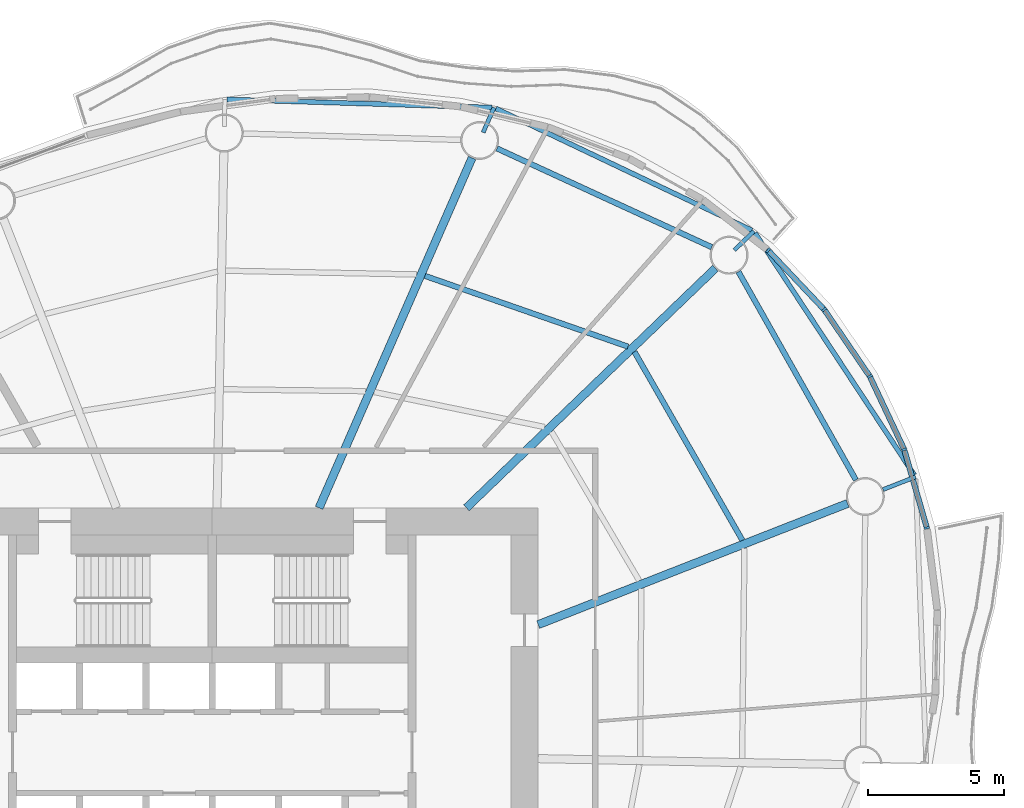
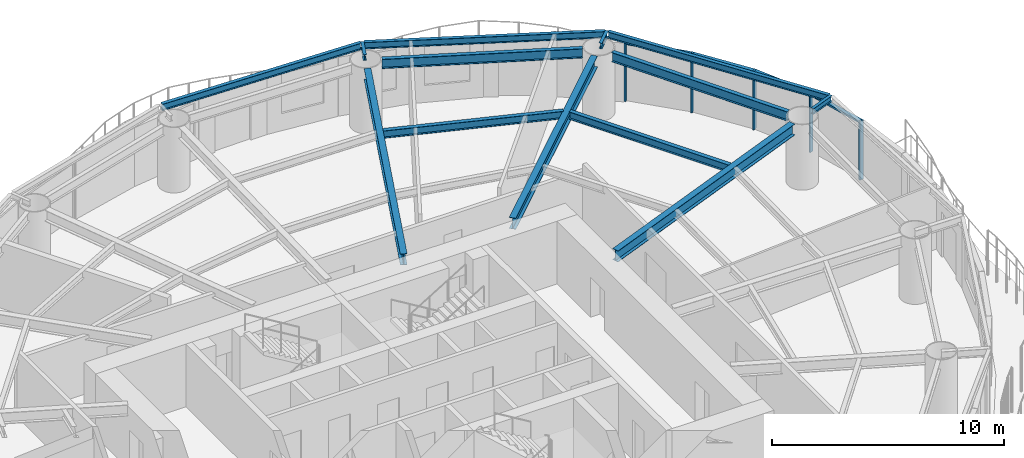
# One storey, part 6 of 15: 13 beams, 9 members, 4 elements without a shape of their own.
"""IFC4 building model written with IfcOpenShell, lengths in metres."""

from ifc_helpers import new_model, si_unit, direction, frame, origin, origin_2d, place, context, subcontext, project, spatial, rectangle, i_section, extrude, material, material_profile, profile_set, type_object, element, aggregate, save


model = new_model("IFC4")

# Units and contexts
model_context = context("Model", 3, precision=1e-05, world=origin(), true_north=direction((0.0, 1.0)))
body_context = subcontext(model_context, "Body", "Model", "MODEL_VIEW")
ifc_project = project(units=[si_unit("LENGTHUNIT", "METRE"), si_unit("AREAUNIT", "SQUARE_METRE"), si_unit("VOLUMEUNIT", "CUBIC_METRE"), si_unit("PLANEANGLEUNIT", "RADIAN"), si_unit("MASSUNIT", "GRAM", prefix="KILO")], contexts=[model_context])

# Site, building, storey
site_placement = place(None, origin())
site = spatial("IfcSite", under=ifc_project, at=site_placement, CompositionType="ELEMENT")
building_placement = place(site_placement, origin())
building = spatial("IfcBuilding", under=site, at=building_placement, Name="Vermilion Reach Broadcast Tower", CompositionType="ELEMENT")
storey_placement = place(building_placement, frame((0.0, 0.0, 154.199951171875)))
storey = spatial("IfcBuildingStorey", under=building, at=storey_placement, Name="L36", CompositionType="ELEMENT", Elevation=154.199951171875)

# Beams
ifc_material_1 = material(Name="Steel S355J2", Category="steel")
ifc_material_profile_1 = material_profile(ifc_material_1, i_section(OverallWidth=0.175048828125, OverallDepth=0.35009765625, WebThickness=0.007080078125, FlangeThickness=0.010986328125, at=origin_2d()), Name="S355J2 HN 350x175x7x11")
ifc_profile_set_1 = profile_set([ifc_material_profile_1], Name="Steel S355J2")
beam_type_1 = type_object("IfcBeamType", Name="EB3 HN 350x175x7x11", PredefinedType="BEAM", material=ifc_profile_set_1)
beam_1_placement = place(storey_placement, frame((13.865966796875, 19.21484375, 3.275146484375), z_axis=(-0.902882567486, 0.429887275144, 0.0), x_axis=(-0.429887275144, -0.902882567486, 0.0)))
element("IfcBeam", 1, at=beam_1_placement, inside=storey, type_object=beam_type_1, Name="Edge beam EB3-01", PredefinedType="BEAM", context=body_context, shape_type="SweptSolid", body=[
    extrude(i_section(OverallWidth=0.175048828125, OverallDepth=0.35009765625, WebThickness=0.007080078125, FlangeThickness=0.010986328125, at=origin_2d()), origin(), (0.0, 0.0, 1.0), 10.437744140625),
])
beam_2_placement = place(storey_placement, frame((4.293212890625, 23.736572265625, 3.275146484375), z_axis=(-0.999528582881, 0.030701986962, 0.0), x_axis=(-0.030701986962, -0.999528582881, 0.0)))
element("IfcBeam", 2, at=beam_2_placement, inside=storey, type_object=beam_type_1, Name="Edge beam EB3-02", PredefinedType="BEAM", context=body_context, shape_type="SweptSolid", body=[
    extrude(i_section(OverallWidth=0.175048828125, OverallDepth=0.35009765625, WebThickness=0.007080078125, FlangeThickness=0.010986328125, at=origin_2d()), origin(), (0.0, 0.0, 1.0), 9.757080078125),
])
beam_3_placement = place(storey_placement, frame((19.84765625, 10.204833984375, 3.275146484375), z_axis=(-0.549901814271, 0.835229306634, 0.0), x_axis=(-0.835229306634, -0.549901814271, 0.0)))
element("IfcBeam", 3, at=beam_3_placement, inside=storey, type_object=beam_type_1, Name="Edge beam EB3-16", PredefinedType="BEAM", context=body_context, shape_type="SweptSolid", body=[
    extrude(i_section(OverallWidth=0.175048828125, OverallDepth=0.35009765625, WebThickness=0.007080078125, FlangeThickness=0.010986328125, at=origin_2d()), origin(), (0.0, 0.0, 1.0), 10.669921875),
])
ifc_material_2 = material(Name="Steel S355J2", Category="steel")
ifc_material_profile_2 = material_profile(ifc_material_2, i_section(OverallWidth=0.300048828125, OverallDepth=0.587890625, WebThickness=0.011962890625, FlangeThickness=0.02001953125, at=origin_2d()), Name="S355J2 HM 588x300x12x20")
ifc_profile_set_2 = profile_set([ifc_material_profile_2], Name="Steel S355J2")
beam_type_2 = type_object("IfcBeamType", Name="G3 HM 588x300x12x20", PredefinedType="BEAM", material=ifc_profile_set_2)
beam_4_placement = place(storey_placement, frame((3.355712890625, 9.0, 3.156005859375), z_axis=(0.720670374476, 0.693277874559, 0.0), x_axis=(-0.693277874559, 0.720670374476, 0.0)))
element("IfcBeam", 4, at=beam_4_placement, inside=storey, type_object=beam_type_2, Name="Girder G3-01", PredefinedType="BEAM", context=body_context, shape_type="SweptSolid", body=[
    extrude(i_section(OverallWidth=0.300048828125, OverallDepth=0.587890625, WebThickness=0.011962890625, FlangeThickness=0.02001953125, at=origin_2d()), origin(), (0.0, 0.0, 1.0), 12.718505859375),
])
beam_5_placement = place(storey_placement, frame((-2.066162109375, 9.0, 3.156005859375), z_axis=(0.400519113205, 0.916288404356, 0.0), x_axis=(-0.916288404356, 0.400519113205, 0.0)))
element("IfcBeam", 5, at=beam_5_placement, inside=storey, type_object=beam_type_2, Name="Girder G3-02", PredefinedType="BEAM", context=body_context, shape_type="SweptSolid", body=[
    extrude(i_section(OverallWidth=0.300048828125, OverallDepth=0.587890625, WebThickness=0.011962890625, FlangeThickness=0.02001953125, at=origin_2d()), origin(), (0.0, 0.0, 1.0), 14.0595703125),
])
beam_6_placement = place(storey_placement, frame((6.0, 4.700439453125, 3.156005859375), z_axis=(0.931124635714, 0.364701128004, 0.0), x_axis=(-0.364701128004, 0.931124635714, 0.0)))
element("IfcBeam", 6, at=beam_6_placement, inside=storey, type_object=beam_type_2, Name="Girder G3-16", PredefinedType="BEAM", context=body_context, shape_type="SweptSolid", body=[
    extrude(i_section(OverallWidth=0.300048828125, OverallDepth=0.587890625, WebThickness=0.011962890625, FlangeThickness=0.02001953125, at=origin_2d()), origin(), (0.0, 0.0, 1.0), 12.231201171875),
])
ifc_material_3 = material(Name="Steel S355J2", Category="steel")
ifc_material_profile_3 = material_profile(ifc_material_3, i_section(OverallWidth=0.14990234375, OverallDepth=0.300048828125, WebThickness=0.006591796875, FlangeThickness=0.009033203125, at=origin_2d()), Name="S355J2 HN 300x150x6.5x9")
ifc_profile_set_3 = profile_set([ifc_material_profile_3], Name="Steel S355J2")
beam_type_3 = type_object("IfcBeamType", Name="GS3 HN 300x150x6.5x9", PredefinedType="BEAM", material=ifc_profile_set_3)
for number, where, z_axis, x_axis, name in (
    (7, (13.217529296875, 18.487060546875, 3.300048828125), (0.720645397388, 0.693303837595, 0.0), (-0.693303837595, 0.720645397388, 0.0), "Cantilever stub GS3-01"),
    (8, (3.9736328125, 22.81787109375, 3.300048828125), (0.400421736837, 0.916330962408, 0.0), (-0.916330962408, 0.400421736837, 0.0), "Cantilever stub GS3-02"),
):
    element("IfcBeam", number, at=place(storey_placement, frame(where, z_axis=z_axis, x_axis=x_axis)), inside=storey, type_object=beam_type_3, Name=name, PredefinedType="BEAM", context=body_context, shape_type="SweptSolid", body=[
        extrude(i_section(OverallWidth=0.14990234375, OverallDepth=0.300048828125, WebThickness=0.006591796875, FlangeThickness=0.009033203125, at=origin_2d()), origin(), (0.0, 0.0, 1.0), 1.0),
    ])
beam_7_placement = place(storey_placement, frame((18.6923828125, 9.671875, 3.300048828125), z_axis=(0.931111056585, 0.364735795208, 0.0), x_axis=(-0.364735795208, 0.931111056585, 0.0)))
element("IfcBeam", 9, at=beam_7_placement, inside=storey, type_object=beam_type_3, Name="Cantilever stub GS3-16", PredefinedType="BEAM", context=body_context, shape_type="SweptSolid", body=[
    extrude(i_section(OverallWidth=0.14990234375, OverallDepth=0.300048828125, WebThickness=0.006591796875, FlangeThickness=0.009033203125, at=origin_2d()), origin(), (0.0, 0.0, 1.0), 1.285888671875),
])
ifc_material_4 = material(Name="Steel S355J2", Category="steel")
ifc_material_profile_4 = material_profile(ifc_material_4, i_section(OverallWidth=0.199951171875, OverallDepth=0.5, WebThickness=0.010009765625, FlangeThickness=0.01611328125, at=origin_2d()), Name="S355J2 HN 500x200x10x16")
ifc_profile_set_4 = profile_set([ifc_material_profile_4], Name="Steel S355J2")
beam_type_4 = type_object("IfcBeamType", Name="RB3 HN 500x200x10x16", PredefinedType="BEAM", material=ifc_profile_set_4)
beam_8_placement = place(storey_placement, frame((12.389892578125, 18.594970703125, 3.199951171875), z_axis=(-0.908546241769, 0.417784306272, 0.0), x_axis=(-0.417784306272, -0.908546241769, 0.0)))
element("IfcBeam", 10, at=beam_8_placement, inside=storey, type_object=beam_type_4, Name="Ring beam RB3-01", PredefinedType="BEAM", context=body_context, shape_type="SweptSolid", body=[
    extrude(i_section(OverallWidth=0.199951171875, OverallDepth=0.5, WebThickness=0.010009765625, FlangeThickness=0.01611328125, at=origin_2d()), origin(), (0.0, 0.0, 1.0), 8.704833984375),
])
beam_9_placement = place(storey_placement, frame((17.696533203125, 10.026123046875, 3.199951171875), z_axis=(-0.491466825026, 0.870896296869, 0.0), x_axis=(-0.870896296869, -0.491466825026, 0.0)))
element("IfcBeam", 11, at=beam_9_placement, inside=storey, type_object=beam_type_4, Name="Ring beam RB3-16", PredefinedType="BEAM", context=body_context, shape_type="SweptSolid", body=[
    extrude(i_section(OverallWidth=0.199951171875, OverallDepth=0.5, WebThickness=0.010009765625, FlangeThickness=0.01611328125, at=origin_2d()), origin(), (0.0, 0.0, 1.0), 8.803466796875),
])
ifc_material_5 = material(Name="Steel S355J2", Category="steel")
ifc_material_profile_5 = material_profile(ifc_material_5, i_section(OverallWidth=0.199951171875, OverallDepth=0.39990234375, WebThickness=0.008056640625, FlangeThickness=0.012939453125, at=origin_2d()), Name="S355J2 HN 400x200x8x13")
ifc_profile_set_5 = profile_set([ifc_material_profile_5], Name="Steel S355J2")
beam_type_5 = type_object("IfcBeamType", Name="SB3 HN 400x200x8x13", PredefinedType="BEAM", material=ifc_profile_set_5)
beam_10_placement = place(storey_placement, frame((9.307373046875, 14.93359375, 3.25), z_axis=(-0.94431696779, 0.329037177754, 0.0), x_axis=(-0.329037177754, -0.94431696779, 0.0)))
element("IfcBeam", 12, at=beam_10_placement, inside=storey, type_object=beam_type_5, Name="Secondary beam SB3-01-2", PredefinedType="BEAM", context=body_context, shape_type="SweptSolid", body=[
    extrude(i_section(OverallWidth=0.199951171875, OverallDepth=0.39990234375, WebThickness=0.008056640625, FlangeThickness=0.012939453125, at=origin_2d()), origin(), (0.0, 0.0, 1.0), 7.91845703125),
])
beam_11_placement = place(storey_placement, frame((13.51708984375, 7.805908203125, 3.25), z_axis=(-0.497026503115, 0.867735360119, 0.0), x_axis=(-0.867735360119, -0.497026503115, 0.0)))
element("IfcBeam", 13, at=beam_11_placement, inside=storey, type_object=beam_type_5, Name="Secondary beam SB3-16-2", PredefinedType="BEAM", context=body_context, shape_type="SweptSolid", body=[
    extrude(i_section(OverallWidth=0.199951171875, OverallDepth=0.39990234375, WebThickness=0.008056640625, FlangeThickness=0.012939453125, at=origin_2d()), origin(), (0.0, 0.0, 1.0), 7.995849609375),
])

# Curtain wall, member
ifc_material_6 = material(Name="Low-e laminated clear glass in aluminium frame", Category="aluminium")
curtain_wall_type = type_object("IfcCurtainWallType", Name="Slot curtain wall", PredefinedType="NOTDEFINED", material=ifc_material_6)
placement = place(storey_placement, origin())
curtain_wall_1 = element("IfcCurtainWall", 14, at=placement, inside=storey, type_object=curtain_wall_type, Name="Slot curtain wall L36 46", PredefinedType="NOTDEFINED")
ifc_material_7 = material(Name="Anodised aluminium", Category="aluminium")
ifc_material_profile_6 = material_profile(ifc_material_7, rectangle(XDim=0.199951171875, YDim=0.080078125, at=origin_2d()), Name="Slot mullion 80 x 200")
ifc_profile_set_6 = profile_set([ifc_material_profile_6], Name="Anodised aluminium")
member_type_1 = type_object("IfcMemberType", Name="Slot mullion 80 x 200", PredefinedType="MULLION", material=ifc_profile_set_6)
member_1_placement = place(storey_placement, frame((20.306396484375, 8.26318359375, 0.0), z_axis=(0.0, 0.0, 1.0), x_axis=(-0.979270352805, -0.202557587161, 0.0)))
member_1 = element("IfcMember", 15, at=member_1_placement, type_object=member_type_1, Name="Slot mullion L36 46", PredefinedType="MULLION", context=body_context, shape_type="SweptSolid", body=[
    extrude(rectangle(XDim=0.199951171875, YDim=0.080078125, at=origin_2d()), origin(), (0.0, 0.0, 1.0), 3.10009765625),
])

curtain_wall_2 = element("IfcCurtainWall", 16, at=placement, inside=storey, type_object=curtain_wall_type, Name="Slot curtain wall L36 47", PredefinedType="NOTDEFINED")
member_2_placement = place(storey_placement, frame((19.47314453125, 11.147216796875, 0.0), z_axis=(0.0, 0.0, 1.0), x_axis=(-0.935745259761, -0.352676634943, 0.0)))
member_2 = element("IfcMember", 17, at=member_2_placement, type_object=member_type_1, Name="Slot mullion L36 47", PredefinedType="MULLION", context=body_context, shape_type="SweptSolid", body=[
    extrude(rectangle(XDim=0.199951171875, YDim=0.080078125, at=origin_2d()), origin(), (0.0, 0.0, 1.0), 3.10009765625),
])

curtain_wall_3 = element("IfcCurtainWall", 18, at=placement, inside=storey, type_object=curtain_wall_type, Name="Slot curtain wall L36 00", PredefinedType="NOTDEFINED")
member_3_placement = place(storey_placement, frame((18.20654296875, 13.8408203125, 0.0), z_axis=(0.0, 0.0, 1.0), x_axis=(-0.868112178264, -0.496368054925, 0.0)))
member_3 = element("IfcMember", 19, at=member_3_placement, type_object=member_type_1, Name="Slot mullion L36 00", PredefinedType="MULLION", context=body_context, shape_type="SweptSolid", body=[
    extrude(rectangle(XDim=0.199951171875, YDim=0.080078125, at=origin_2d()), origin(), (0.0, 0.0, 1.0), 3.10009765625),
])

# Curtain wall, members
curtain_wall_4 = element("IfcCurtainWall", 20, at=placement, inside=storey, type_object=curtain_wall_type, Name="Slot curtain wall L36 01", PredefinedType="NOTDEFINED")
member_4_placement = place(storey_placement, frame((16.52783203125, 16.298583984375, 0.0), z_axis=(0.0, 0.0, 1.0), x_axis=(-0.778584149168, -0.627540215974, 0.0)))
member_4 = element("IfcMember", 21, at=member_4_placement, type_object=member_type_1, Name="Slot mullion L36 01", PredefinedType="MULLION", context=body_context, shape_type="SweptSolid", body=[
    extrude(rectangle(XDim=0.199951171875, YDim=0.080078125, at=origin_2d()), origin(), (0.0, 0.0, 1.0), 3.10009765625),
])
member_5_placement = place(storey_placement, frame((14.465087890625, 18.479736328125, 0.0), z_axis=(0.0, 0.0, 1.0), x_axis=(-0.671288185119, -0.741196446646, 0.0)))
member_5 = element("IfcMember", 22, at=member_5_placement, type_object=member_type_1, Name="Slot mullion L36 02", PredefinedType="MULLION", context=body_context, shape_type="SweptSolid", body=[
    extrude(rectangle(XDim=0.199951171875, YDim=0.080078125, at=origin_2d()), origin(), (0.0, 0.0, 1.0), 3.10009765625),
])

# Member
ifc_material_8 = material(Name="Anodised aluminium", Category="aluminium")
ifc_material_profile_7 = material_profile(ifc_material_8, rectangle(XDim=0.199951171875, YDim=0.10009765625, at=origin_2d()), Name="Slot transom 200 x 100")
ifc_profile_set_7 = profile_set([ifc_material_profile_7], Name="Anodised aluminium")
member_type_2 = type_object("IfcMemberType", Name="Slot transom 200 x 100", PredefinedType="USERDEFINED", material=ifc_profile_set_7)
member_6_placement = place(storey_placement, frame((20.29541015625, 8.3017578125, 3.050048828125), z_axis=(-0.277567072502, 0.960706261176, 0.0), x_axis=(-0.960706261176, -0.277567072502, 0.0)))
member_6 = element("IfcMember", 23, at=member_6_placement, type_object=member_type_2, Name="Slot transom L36 46.1", ObjectType="TRANSOM", PredefinedType="USERDEFINED", context=body_context, shape_type="SweptSolid", body=[
    extrude(rectangle(XDim=0.199951171875, YDim=0.10009765625, at=origin_2d()), origin(), (0.0, 0.0, 1.0), 2.921875),
])

aggregate(curtain_wall_1, [member_1, member_6])

member_7_placement = place(storey_placement, frame((19.456298828125, 11.18359375, 3.050048828125), z_axis=(-0.425573765701, 0.904923737089, 0.0), x_axis=(-0.904923737089, -0.425573765701, 0.0)))
member_7 = element("IfcMember", 24, at=member_7_placement, type_object=member_type_2, Name="Slot transom L36 47.1", ObjectType="TRANSOM", PredefinedType="USERDEFINED", context=body_context, shape_type="SweptSolid", body=[
    extrude(rectangle(XDim=0.199951171875, YDim=0.10009765625, at=origin_2d()), origin(), (0.0, 0.0, 1.0), 2.896484375),
])

aggregate(curtain_wall_2, [member_2, member_7])

member_8_placement = place(storey_placement, frame((18.18408203125, 13.873779296875, 3.050048828125), z_axis=(-0.564040150729, 0.825747363523, 0.0), x_axis=(-0.825747363523, -0.564040150729, 0.0)))
member_8 = element("IfcMember", 25, at=member_8_placement, type_object=member_type_2, Name="Slot transom L36 00.1", ObjectType="TRANSOM", PredefinedType="USERDEFINED", context=body_context, shape_type="SweptSolid", body=[
    extrude(rectangle(XDim=0.199951171875, YDim=0.10009765625, at=origin_2d()), origin(), (0.0, 0.0, 1.0), 2.896484375),
])

aggregate(curtain_wall_3, [member_3, member_8])

member_9_placement = place(storey_placement, frame((16.500244140625, 16.32763671875, 3.050048828125), z_axis=(-0.687114044601, 0.726549578289, 0.0), x_axis=(-0.726549578289, -0.687114044601, 0.0)))
member_9 = element("IfcMember", 26, at=member_9_placement, type_object=member_type_2, Name="Slot transom L36 01.1", ObjectType="TRANSOM", PredefinedType="USERDEFINED", context=body_context, shape_type="SweptSolid", body=[
    extrude(rectangle(XDim=0.199951171875, YDim=0.10009765625, at=origin_2d()), origin(), (0.0, 0.0, 1.0), 2.922119140625),
])

aggregate(curtain_wall_4, [member_4, member_5, member_9])

save(model, "model.ifc")
